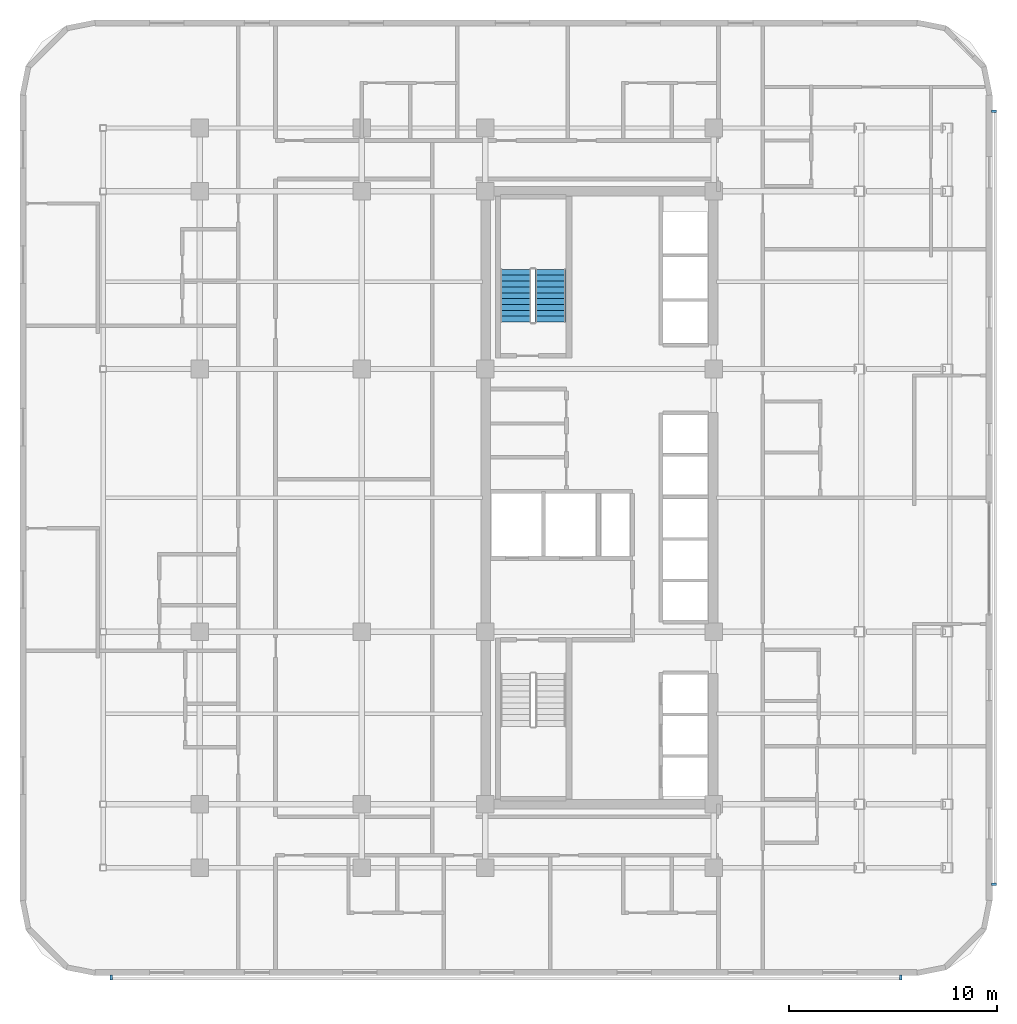
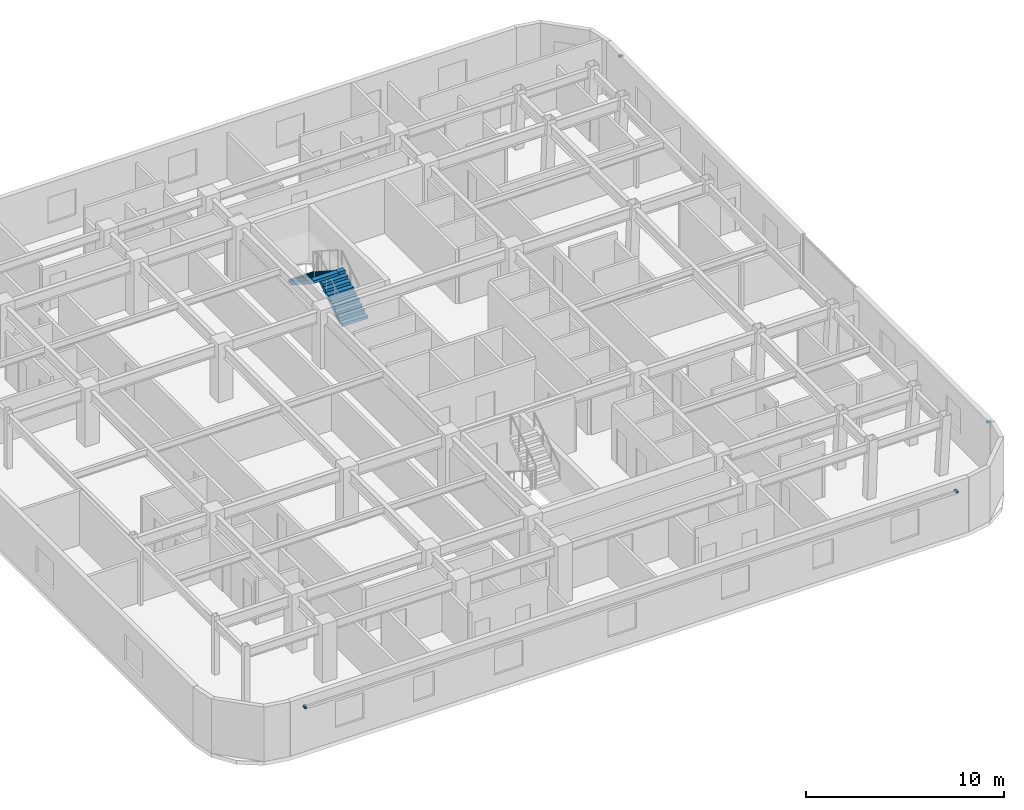
# One storey, part 12 of 15: 4 discrete accessories, 2 stair flights, 1 element without a shape of its own.
"""IFC4 building model written with IfcOpenShell, lengths in metres."""

from ifc_helpers import new_model, si_unit, direction, frame, origin, origin_2d, place, context, subcontext, project, spatial, polyline, rectangle, outline, extrude, material, type_object, element, aggregate, save


model = new_model("IFC4")

# Units and contexts
model_context = context("Model", 3, precision=1e-05, world=origin(), true_north=direction((0.0, 1.0)))
body_context = subcontext(model_context, "Body", "Model", "MODEL_VIEW")
ifc_project = project(units=[si_unit("LENGTHUNIT", "METRE"), si_unit("AREAUNIT", "SQUARE_METRE"), si_unit("VOLUMEUNIT", "CUBIC_METRE"), si_unit("PLANEANGLEUNIT", "RADIAN"), si_unit("MASSUNIT", "GRAM", prefix="KILO")], contexts=[model_context])

# Site, building, storey
site_placement = place(None, origin())
site = spatial("IfcSite", under=ifc_project, at=site_placement, CompositionType="ELEMENT")
building_placement = place(site_placement, origin())
building = spatial("IfcBuilding", under=site, at=building_placement, Name="Ochreholt Gables", CompositionType="ELEMENT")
storey_placement = place(building_placement, frame((0.0, 0.0, 64.199951171875)))
storey = spatial("IfcBuildingStorey", under=building, at=storey_placement, Name="L16", CompositionType="ELEMENT", Elevation=64.199951171875)

# Stair, stair flights
ifc_material_1 = material(Name="Concrete 40 MPa", Category="concrete")
stair_type = type_object("IfcStairType", Name="STAIR-CORE-ST-2", PredefinedType="HALF_TURN_STAIR", material=ifc_material_1)
stair_placement = place(storey_placement, origin())
stair = element("IfcStair", 1, at=stair_placement, inside=storey, type_object=stair_type, Name="L16 Core Exit Stair 2", PredefinedType="HALF_TURN_STAIR")
stair_flight_type = type_object("IfcStairFlightType", Name="FLIGHT-ST-1480-1800", PredefinedType="STRAIGHT", material=ifc_material_1)
stair_flight_1_placement = place(storey_placement, frame((27.340087890625, 32.4599609375, 0.0), z_axis=(0.0, 0.0, 1.0), x_axis=(0.0, 1.0, 0.0)))
stair_flight_1 = element("IfcStairFlight", 2, at=stair_flight_1_placement, type_object=stair_flight_type, Name="ST-2 flight 1", NumberOfRisers=10, NumberOfTreads=9, PredefinedType="STRAIGHT", RiserHeight=0.18, TreadLength=0.282, context=body_context, shape_type="SweptSolid", body=[
    extrude(outline(polyline([(0.0, 0.0), (0.0, 0.179931640625), (0.281982421875, 0.179931640625), (0.281982421875, 0.360107421875), (0.56396484375, 0.360107421875), (0.56396484375, 0.5400390625), (0.845947265625, 0.5400390625), (0.845947265625, 0.719970703125), (1.1279296875, 0.719970703125), (1.1279296875, 0.89990234375), (1.409912109375, 0.89990234375), (1.409912109375, 1.080078125), (1.69189453125, 1.080078125), (1.69189453125, 1.260009765625), (1.97412109375, 1.260009765625), (1.97412109375, 1.43994140625), (2.256103515625, 1.43994140625), (2.256103515625, 1.6201171875), (2.5380859375, 1.6201171875), (2.5380859375, 1.800048828125), (2.5380859375, 1.442138671875), (0.278564453125, 0.0), (0.0, 0.0)])), frame((0.0, 0.739990234375, 0.0), z_axis=(0.0, -1.0, 0.0), x_axis=(1.0, 0.0, 0.0)), (0.0, 0.0, 1.0), 1.47998046875),
])
stair_flight_2_placement = place(storey_placement, frame((25.659912109375, 34.998046875, 1.800048828125), z_axis=(0.0, 0.0, 1.0), x_axis=(0.0, -1.0, 0.0)))
stair_flight_2 = element("IfcStairFlight", 3, at=stair_flight_2_placement, type_object=stair_flight_type, Name="ST-2 flight 2", NumberOfRisers=10, NumberOfTreads=9, PredefinedType="STRAIGHT", RiserHeight=0.18, TreadLength=0.282, context=body_context, shape_type="SweptSolid", body=[
    extrude(outline(polyline([(0.0, 0.0), (0.0, 0.179931640625), (0.281982421875, 0.179931640625), (0.281982421875, 0.360107421875), (0.56396484375, 0.360107421875), (0.56396484375, 0.5400390625), (0.845947265625, 0.5400390625), (0.845947265625, 0.719970703125), (1.1279296875, 0.719970703125), (1.1279296875, 0.89990234375), (1.409912109375, 0.89990234375), (1.409912109375, 1.080078125), (1.69189453125, 1.080078125), (1.69189453125, 1.260009765625), (1.97412109375, 1.260009765625), (1.97412109375, 1.43994140625), (2.256103515625, 1.43994140625), (2.256103515625, 1.6201171875), (2.5380859375, 1.6201171875), (2.5380859375, 1.800048828125), (2.5380859375, 1.442138671875), (0.278564453125, 0.0), (0.0, 0.0)])), frame((0.0, 0.739990234375, 0.0), z_axis=(0.0, -1.0, 0.0), x_axis=(1.0, 0.0, 0.0)), (0.0, 0.0, 1.0), 1.47998046875),
])
aggregate(stair, [stair_flight_1, stair_flight_2])

# Discrete accessories
ifc_material_2 = material(Name="Extruded Aluminium Standoff Bracket", Category="aluminium")
discrete_accessory_type = type_object("IfcDiscreteAccessoryType", Name="ACC-BRACKET-AL", PredefinedType="BRACKET", material=ifc_material_2)
for number, where, z_axis, x_axis, name in (
    (4, (6.199951171875, 0.909912109375, 2.780029296875), (0.0, 0.0, 1.0), (1.0, 0.0, 0.0), "L16 Baguette Standoff Bracket S1-1"),
    (5, (44.199951171875, 0.909912109375, 2.780029296875), (0.0, 0.0, 1.0), (1.0, 0.0, 0.0), "L16 Baguette Standoff Bracket S1-2"),
    (6, (48.68994140625, 5.39990234375, 2.780029296875), (0.0, 0.0, 1.0), (0.0, 1.0, 0.0), "L16 Baguette Standoff Bracket E1-1"),
    (7, (48.68994140625, 42.60009765625, 2.780029296875), (0.0, 0.0, 1.0), (0.0, 1.0, 0.0), "L16 Baguette Standoff Bracket E1-2"),
):
    element("IfcDiscreteAccessory", number, at=place(storey_placement, frame(where, z_axis=z_axis, x_axis=x_axis)), inside=storey, type_object=discrete_accessory_type, Name=name, PredefinedType="BRACKET", context=body_context, shape_type="SweptSolid", body=[
        extrude(rectangle(XDim=0.1201171875, YDim=0.239990234375, at=origin_2d()), origin(), (0.0, 0.0, 1.0), 0.1201171875),
    ])

save(model, "model.ifc")
